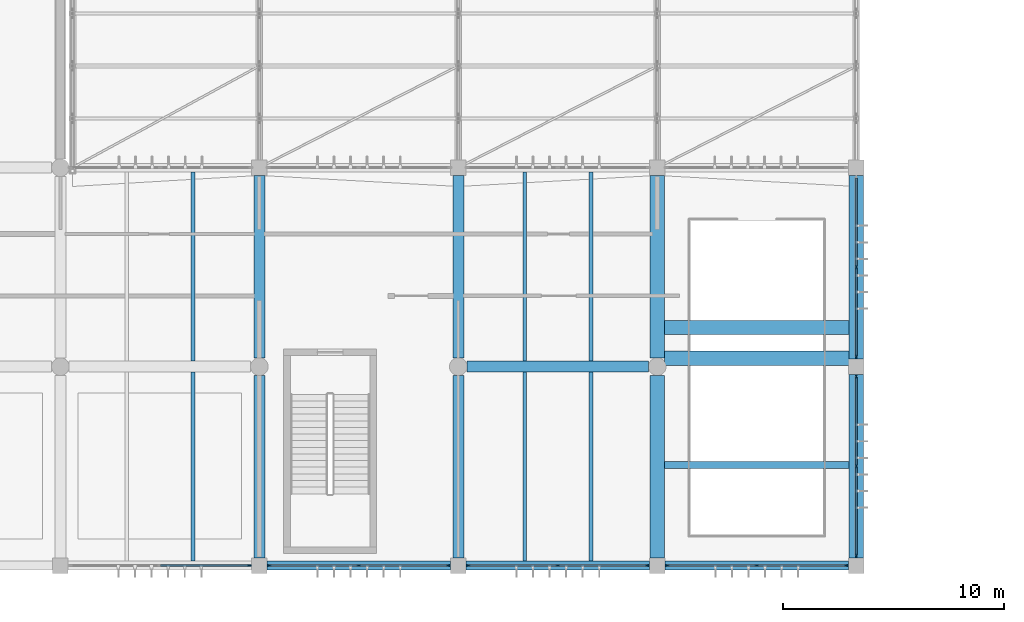
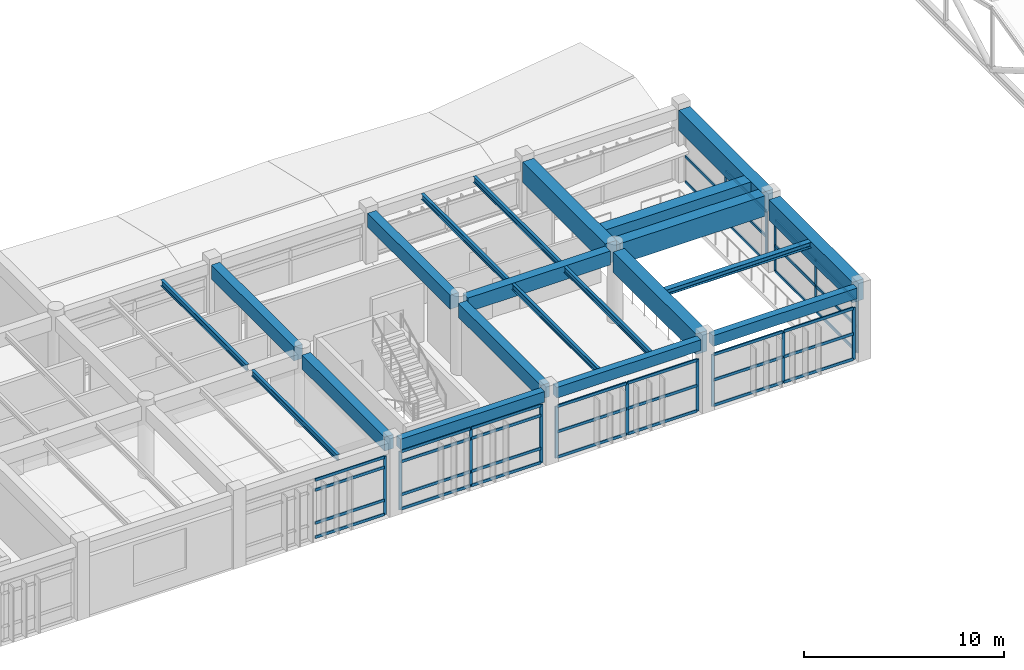
# One storey, part 17 of 90: 50 members, 21 beams, 6 elements without a shape of their own.
"""IFC4 building model written with IfcOpenShell, lengths in metres."""

import ifcopenshell
import ifcopenshell.guid

model = None  # the IFC model being written
_history = None  # IfcOwnerHistory: only IFC2X3 demands one
_inside = {}  # id of a spatial element -> (the spatial element, [elements in it])
_under = {}  # id of a project, library or spatial element -> (it, [spatial elements below it])
_declared = {}  # id of a project -> (the project, [libraries it declares])
_typed = {}  # id of a type object -> (the type object, [elements of that type])
_made_of = {}  # id of a material, layer set ... -> (it, [elements and type objects made of it])


def new_model(schema):
    """Start an empty IFC model of exactly this schema.

    Asked for "IFC4X3", IfcOpenShell would pick the latest addendum, in which some entities
    have other attributes; the version numbers below select the first issue.
    IFC2X3 requires an IfcOwnerHistory on every rooted entity: one is made here for all.
    """
    global model, _history
    if schema == "IFC4X3":
        model = ifcopenshell.file(schema_version=(4, 3, 0, 0))
    else:
        model = ifcopenshell.file(schema=schema)
    _inside.clear()
    _under.clear()
    _declared.clear()
    _typed.clear()
    _made_of.clear()
    _history = None
    if model.schema == "IFC2X3":
        org = make("IfcOrganization", Name="unknown")
        user = make(
            "IfcPersonAndOrganization",
            ThePerson=make("IfcPerson", FamilyName="unknown"),
            TheOrganization=org,
        )
        app = make(
            "IfcApplication",
            ApplicationDeveloper=org,
            Version="unknown",
            ApplicationFullName="unknown",
            ApplicationIdentifier="unknown",
        )
        _history = make(
            "IfcOwnerHistory",
            OwningUser=user,
            OwningApplication=app,
            ChangeAction="ADDED",
            CreationDate=0,
        )
    return model


def make(cls, **values):
    """One entity of the class cls with the attributes given. An attribute that is None is left unset."""
    return model.create_entity(
        cls, **{name: value for name, value in values.items() if value is not None}
    )


def rooted(cls, **values):
    """An entity with a GlobalId (a new one), such as an element, a storey or a relation."""
    return make(cls, GlobalId=ifcopenshell.guid.new(), OwnerHistory=_history, **values)


def si_unit(unit_type, name, prefix=None):
    """IfcSIUnit, for example si_unit("LENGTHUNIT", "METRE", prefix="MILLI")."""
    return make("IfcSIUnit", UnitType=unit_type, Prefix=prefix, Name=name)


def assignment(units):
    """IfcUnitAssignment: the units of a project."""
    return None if units is None else make("IfcUnitAssignment", Units=units)


def point(xyz):
    """IfcCartesianPoint."""
    return None if xyz is None else make("IfcCartesianPoint", Coordinates=xyz)


def direction(xyz):
    """IfcDirection."""
    return None if xyz is None else make("IfcDirection", DirectionRatios=xyz)


def frame(location, z_axis=None, x_axis=None):
    """IfcAxis2Placement3D, a coordinate frame: its origin and axes. An axis left out is left unset."""
    return make(
        "IfcAxis2Placement3D",
        Location=point(location),
        Axis=direction(z_axis),
        RefDirection=direction(x_axis),
    )


def frame_2d(location, x_axis=None):
    """IfcAxis2Placement2D, a coordinate frame in the plane: its origin and x axis."""
    return make(
        "IfcAxis2Placement2D", Location=point(location), RefDirection=direction(x_axis)
    )


def origin():
    """The frame at (0, 0, 0) with its axes left unset."""
    return frame((0.0, 0.0, 0.0))


def origin_2d():
    """The frame at (0, 0) in the plane with its x axis left unset."""
    return frame_2d((0.0, 0.0))


def place(relative_to, where):
    """IfcLocalPlacement: puts the frame where relative to a parent placement (None: the world)."""
    return make(
        "IfcLocalPlacement", PlacementRelTo=relative_to, RelativePlacement=where
    )


def context(
    kind, dimensions, precision=None, world=None, true_north=None, identifier=None
):
    """IfcGeometricRepresentationContext, for example the 3D "Model" context."""
    return make(
        "IfcGeometricRepresentationContext",
        ContextIdentifier=identifier,
        ContextType=kind,
        CoordinateSpaceDimension=dimensions,
        Precision=precision,
        WorldCoordinateSystem=world,
        TrueNorth=true_north,
    )


def subcontext(parent, identifier, kind, view, scale=None):
    """IfcGeometricRepresentationSubContext, for example "Body" below "Model"."""
    return make(
        "IfcGeometricRepresentationSubContext",
        ContextIdentifier=identifier,
        ContextType=kind,
        ParentContext=parent,
        TargetScale=scale,
        TargetView=view,
    )


def project(units=None, contexts=None):
    """IfcProject with its units and contexts."""
    return rooted(
        "IfcProject",
        Name="project",
        RepresentationContexts=contexts,
        UnitsInContext=assignment(units),
    )


def spatial(cls, under=None, at=None, **own):
    """A site, building, storey or space (cls), placed at a placement, below another one or the project."""
    s = rooted(cls, ObjectPlacement=at, **own)
    if under is not None:
        _under.setdefault(under.id(), (under, []))[1].append(s)
    return s


def profile(cls, at=None, kind="AREA", **sizes):
    """A parametric profile (cls). Its sizes go by their IFC names, for example OverallWidth=200.0."""
    return make(cls, ProfileType=kind, Position=at, **sizes)


def rectangle(**sizes):
    """IfcRectangleProfileDef."""
    return profile("IfcRectangleProfileDef", **sizes)


def i_section(**sizes):
    """IfcIShapeProfileDef."""
    return profile("IfcIShapeProfileDef", **sizes)


def extrude(swept, where, along, depth):
    """IfcExtrudedAreaSolid: the profile swept, set in the frame where, extruded along a direction by depth."""
    return make(
        "IfcExtrudedAreaSolid",
        SweptArea=swept,
        Position=where,
        ExtrudedDirection=direction(along),
        Depth=depth,
    )


def shape(context_of_items, identifier, shape_type, items):
    """IfcShapeRepresentation: the items that make up one representation, for example the "Body"."""
    return make(
        "IfcShapeRepresentation",
        ContextOfItems=context_of_items,
        RepresentationIdentifier=identifier,
        RepresentationType=shape_type,
        Items=items,
    )


def material(Name=None, Category=None):
    """IfcMaterial."""
    return make("IfcMaterial", Name=Name, Category=Category)


def material_profile(
    of_material, cross_section, Name=None, Category=None, Priority=None
):
    """IfcMaterialProfile: a cross section and its material."""
    return make(
        "IfcMaterialProfile",
        Name=Name,
        Material=of_material,
        Profile=cross_section,
        Priority=Priority,
        Category=Category,
    )


def profile_set(profiles, Name=None, composite=None):
    """IfcMaterialProfileSet."""
    return make(
        "IfcMaterialProfileSet",
        Name=Name,
        MaterialProfiles=profiles,
        CompositeProfile=composite,
    )


def made_of(thing, what):
    """Note that an element or type object is made of a material, layer set ...; save() writes the relation."""
    if what is not None:
        _made_of.setdefault(what.id(), (what, []))[1].append(thing)
    return thing


def type_object(cls, material=None, **own):
    """A type object (cls), such as IfcWallType, which elements share."""
    return made_of(rooted(cls, **own), material)


def element(
    cls,
    number,
    at=None,
    inside=None,
    cuts=None,
    type_object=None,
    material=None,
    context=None,
    identifier="Body",
    shape_type=None,
    held_by="IfcProductDefinitionShape",
    body=None,
    shapes=None,
    **own,
):
    """One element of the class cls, such as IfcWall. Its Tag is "e" and its number.

    at: its placement. inside: the storey or other place that contains it. cuts: it is an
    opening in that element (IfcRelVoidsElement). A single representation is given by context,
    identifier, shape_type and body (its items); several are given by shapes. held_by: the class
    of the entity that holds the representations. save() writes the other relations.
    """
    e = rooted(cls, Tag="e%d" % number, ObjectPlacement=at, **own)
    if body is not None:
        shapes = [shape(context, identifier, shape_type, body)]
    if shapes is not None:
        e.Representation = make(held_by, Representations=shapes)
    if inside is not None:
        _inside.setdefault(inside.id(), (inside, []))[1].append(e)
    if cuts is not None:
        rooted(
            "IfcRelVoidsElement", RelatingBuildingElement=cuts, RelatedOpeningElement=e
        )
    if type_object is not None:
        _typed.setdefault(type_object.id(), (type_object, []))[1].append(e)
    return made_of(e, material)


def aggregate(whole, parts):
    """IfcRelAggregates: a whole, such as a stair, and the parts it consists of."""
    return rooted("IfcRelAggregates", RelatingObject=whole, RelatedObjects=parts)


def save(model, path):
    """Write the relations noted so far, then the file.

    IfcRelAggregates (storeys below a building ...), IfcRelContainedInSpatialStructure (elements
    in a storey), IfcRelDefinesByType, IfcRelAssociatesMaterial and IfcRelDeclares: one each for
    every whole, place, type object, material and project.
    """
    for whole, parts in _under.values():
        aggregate(whole, parts)
    for where, things in _inside.values():
        rooted(
            "IfcRelContainedInSpatialStructure",
            RelatedElements=things,
            RelatingStructure=where,
        )
    for kind, things in _typed.values():
        rooted("IfcRelDefinesByType", RelatedObjects=things, RelatingType=kind)
    for what, things in _made_of.values():
        rooted("IfcRelAssociatesMaterial", RelatedObjects=things, RelatingMaterial=what)
    for by, libraries in _declared.values():
        rooted("IfcRelDeclares", RelatingContext=by, RelatedDefinitions=libraries)
    model.write(path)


model = new_model("IFC4")

# Units and contexts
model_context = context("Model", 3, precision=1e-05, world=origin(), true_north=direction((0.0, 1.0)))
body_context = subcontext(model_context, "Body", "Model", "MODEL_VIEW")
ifc_project = project(units=[si_unit("LENGTHUNIT", "METRE"), si_unit("AREAUNIT", "SQUARE_METRE"), si_unit("VOLUMEUNIT", "CUBIC_METRE"), si_unit("PLANEANGLEUNIT", "RADIAN"), si_unit("MASSUNIT", "GRAM", prefix="KILO")], contexts=[model_context])

# Site, building, storey
site_placement = place(None, origin())
site = spatial("IfcSite", under=ifc_project, at=site_placement, CompositionType="ELEMENT")
building_placement = place(site_placement, origin())
building = spatial("IfcBuilding", under=site, at=building_placement, Name="Bozkorgan Art Gallery", CompositionType="ELEMENT")
storey_placement = place(building_placement, frame((0.0, 0.0, 5.39990234375)))
storey = spatial("IfcBuildingStorey", under=building, at=storey_placement, Name="L01", CompositionType="ELEMENT", Elevation=5.39990234375)

# Beams
ifc_material_1 = material(Name="Concrete C35/45", Category="concrete")
ifc_material_profile_1 = material_profile(ifc_material_1, rectangle(XDim=0.5, YDim=0.85009765625, at=origin_2d()), Name="RC 500x850")
ifc_profile_set_1 = profile_set([ifc_material_profile_1], Name="Concrete C35/45")
beam_type_1 = type_object("IfcBeamType", Name="BEAM-BM-01", PredefinedType="BEAM", material=ifc_profile_set_1)
beam_1_placement = place(storey_placement, frame((47.39990234375, 11.0, 4.01513671875), z_axis=(1.0, 0.0, 0.0), x_axis=(0.0, 1.0, 0.0)))
element("IfcBeam", 1, at=beam_1_placement, inside=storey, type_object=beam_type_1, Name="V1 L01 beam X (47-56, 11.0)", PredefinedType="BEAM", context=body_context, shape_type="SweptSolid", body=[
    extrude(rectangle(XDim=0.5, YDim=0.85009765625, at=origin_2d()), origin(), (0.0, 0.0, 1.0), 8.2001953125),
])
for number, where, z_axis, x_axis, name in (
    (2, (38.0, 2.35009765625, 4.01513671875), (0.0, 1.0, 0.0), (-1.0, 0.0, 0.0), "V1 L01 beam Y (38, 2.0-11.0)"),
    (3, (38.0, 11.39990234375, 4.01513671875), (0.0, 1.0, 0.0), (-1.0, 0.0, 0.0), "V1 L01 beam Y (38, 11.0-20.0)"),
    (4, (47.0, 2.35009765625, 4.01513671875), (0.0, 1.0, 0.0), (-1.0, 0.0, 0.0), "V1 L01 beam Y (47, 2.0-11.0)"),
    (5, (47.0, 11.39990234375, 4.01513671875), (0.0, 1.0, 0.0), (-1.0, 0.0, 0.0), "V1 L01 beam Y (47, 11.0-20.0)"),
):
    element("IfcBeam", number, at=place(storey_placement, frame(where, z_axis=z_axis, x_axis=x_axis)), inside=storey, type_object=beam_type_1, Name=name, PredefinedType="BEAM", context=body_context, shape_type="SweptSolid", body=[
        extrude(rectangle(XDim=0.5, YDim=0.85009765625, at=origin_2d()), origin(), (0.0, 0.0, 1.0), 8.25),
    ])
ifc_material_2 = material(Name="Steel S355J2", Category="steel")
ifc_material_profile_2 = material_profile(ifc_material_2, i_section(OverallWidth=0.169921875, OverallDepth=0.360107421875, WebThickness=0.008056640625, FlangeThickness=0.0126953125, FilletRadius=0.01806640625, at=origin_2d()), Name="IPE 360")
ifc_profile_set_2 = profile_set([ifc_material_profile_2], Name="Steel S355J2")
beam_type_2 = type_object("IfcBeamType", Name="BEAM-JS-98", PredefinedType="JOIST", material=ifc_profile_set_2)
for number, where, z_axis, x_axis, name in (
    (6, (35.0, 2.199951171875, 4.260009765625), (0.0, 1.0, 0.0), (-1.0, 0.0, 0.0), "V1 L01 secondary joist (29-38, 2.0-11.0) #2"),
    (7, (35.0, 11.25, 4.260009765625), (0.0, 1.0, 0.0), (-1.0, 0.0, 0.0), "V1 L01 secondary joist (29-38, 11.0-20.0) #2"),
    (8, (50.0, 2.199951171875, 4.260009765625), (0.0, 1.0, 0.0), (-1.0, 0.0, 0.0), "V1 L01 secondary joist (47-56, 2.0-11.0) #1"),
    (9, (53.0, 2.199951171875, 4.260009765625), (0.0, 1.0, 0.0), (-1.0, 0.0, 0.0), "V1 L01 secondary joist (47-56, 2.0-11.0) #2"),
    (10, (50.0, 11.25, 4.260009765625), (0.0, 1.0, 0.0), (-1.0, 0.0, 0.0), "V1 L01 secondary joist (47-56, 11.0-20.0) #1"),
    (11, (53.0, 11.25, 4.260009765625), (0.0, 1.0, 0.0), (-1.0, 0.0, 0.0), "V1 L01 secondary joist (47-56, 11.0-20.0) #2"),
):
    element("IfcBeam", number, at=place(storey_placement, frame(where, z_axis=z_axis, x_axis=x_axis)), inside=storey, type_object=beam_type_2, Name=name, PredefinedType="JOIST", context=body_context, shape_type="SweptSolid", body=[
        extrude(i_section(OverallWidth=0.169921875, OverallDepth=0.360107421875, WebThickness=0.008056640625, FlangeThickness=0.0126953125, FilletRadius=0.01806640625, at=origin_2d()), origin(), (0.0, 0.0, 1.0), 8.550048828125),
    ])
ifc_material_profile_3 = material_profile(ifc_material_1, rectangle(XDim=0.39990234375, YDim=0.64990234375, at=origin_2d()), Name="RC 400x650")
ifc_profile_set_3 = profile_set([ifc_material_profile_3], Name="Concrete C35/45")
beam_type_3 = type_object("IfcBeamType", Name="BEAM-SP-69", PredefinedType="SPANDREL", material=ifc_profile_set_3)
for number, where, z_axis, x_axis, name in (
    (12, (38.35009765625, 2.0, 4.114990234375), (1.0, 0.0, 0.0), (0.0, 1.0, 0.0), "V1 L01 spandrel X (38-47, 2.0)"),
    (13, (47.35009765625, 2.0, 4.114990234375), (1.0, 0.0, 0.0), (0.0, 1.0, 0.0), "V1 L01 spandrel X (47-56, 2.0)"),
    (14, (56.35009765625, 2.0, 4.114990234375), (1.0, 0.0, 0.0), (0.0, 1.0, 0.0), "V1 L01 spandrel X (56-65, 2.0)"),
):
    element("IfcBeam", number, at=place(storey_placement, frame(where, z_axis=z_axis, x_axis=x_axis)), inside=storey, type_object=beam_type_3, Name=name, PredefinedType="SPANDREL", context=body_context, shape_type="SweptSolid", body=[
        extrude(rectangle(XDim=0.39990234375, YDim=0.64990234375, at=origin_2d()), origin(), (0.0, 0.0, 1.0), 8.2998046875),
    ])
ifc_material_3 = material(Name="Concrete C40/50", Category="concrete")
ifc_material_profile_4 = material_profile(ifc_material_3, rectangle(XDim=0.64990234375, YDim=1.25, at=origin_2d()), Name="RC 650x1250")
ifc_profile_set_4 = profile_set([ifc_material_profile_4], Name="Concrete C40/50")
beam_type_4 = type_object("IfcBeamType", Name="BEAM-TG-46", PredefinedType="SPANDREL", material=ifc_profile_set_4)
for number, where, z_axis, x_axis, name in (
    (15, (65.0, 2.35009765625, 3.815185546875), (0.0, 1.0, 0.0), (-1.0, 0.0, 0.0), "V1 L01 spandrel Y (65, 2.0-11.0)"),
    (16, (65.0, 11.35009765625, 3.815185546875), (0.0, 1.0, 0.0), (-1.0, 0.0, 0.0), "V1 L01 spandrel Y (65, 11.0-20.0)"),
):
    element("IfcBeam", number, at=place(storey_placement, frame(where, z_axis=z_axis, x_axis=x_axis)), inside=storey, type_object=beam_type_4, Name=name, PredefinedType="SPANDREL", context=body_context, shape_type="SweptSolid", body=[
        extrude(rectangle(XDim=0.64990234375, YDim=1.25, at=origin_2d()), origin(), (0.0, 0.0, 1.0), 8.2998046875),
    ])
ifc_material_profile_5 = material_profile(ifc_material_3, rectangle(XDim=0.64990234375, YDim=1.25, at=origin_2d()), Name="RC 650x1250")
ifc_profile_set_5 = profile_set([ifc_material_profile_5], Name="Concrete C40/50")
beam_type_5 = type_object("IfcBeamType", Name="BEAM-TG-51", PredefinedType="BEAM", material=ifc_profile_set_5)
for number, where, z_axis, x_axis, name in (
    (17, (56.0, 2.35009765625, 3.815185546875), (0.0, 1.0, 0.0), (-1.0, 0.0, 0.0), "V1 L01 beam Y (56, 2.0-11.0)"),
    (18, (56.0, 11.39990234375, 3.815185546875), (0.0, 1.0, 0.0), (-1.0, 0.0, 0.0), "V1 L01 beam Y (56, 11.0-20.0)"),
):
    element("IfcBeam", number, at=place(storey_placement, frame(where, z_axis=z_axis, x_axis=x_axis)), inside=storey, type_object=beam_type_5, Name=name, PredefinedType="BEAM", context=body_context, shape_type="SweptSolid", body=[
        extrude(rectangle(XDim=0.64990234375, YDim=1.25, at=origin_2d()), origin(), (0.0, 0.0, 1.0), 8.25),
    ])
ifc_material_profile_6 = material_profile(ifc_material_2, i_section(OverallWidth=0.300048828125, OverallDepth=0.35009765625, WebThickness=0.010009765625, FlangeThickness=0.017578125, FilletRadius=0.027099609375, at=origin_2d()), Name="HEA 360")
ifc_profile_set_6 = profile_set([ifc_material_profile_6], Name="Steel S355J2")
beam_type_6 = type_object("IfcBeamType", Name="BM-ATR-TRIM", PredefinedType="BEAM", material=ifc_profile_set_6)
beam_2_placement = place(storey_placement, frame((56.324951171875, 6.550048828125, 4.26513671875), z_axis=(1.0, 0.0, 0.0), x_axis=(0.0, 1.0, 0.0)))
element("IfcBeam", 19, at=beam_2_placement, inside=storey, type_object=beam_type_6, Name="ST8 lower flight trimmer beam", PredefinedType="BEAM", context=body_context, shape_type="SweptSolid", body=[
    extrude(i_section(OverallWidth=0.300048828125, OverallDepth=0.35009765625, WebThickness=0.010009765625, FlangeThickness=0.017578125, FilletRadius=0.027099609375, at=origin_2d()), origin(), (0.0, 0.0, 1.0), 8.35009765625),
])
ifc_material_profile_7 = material_profile(ifc_material_3, rectangle(XDim=0.64990234375, YDim=1.25, at=origin_2d()), Name="RC 650x1250")
ifc_profile_set_7 = profile_set([ifc_material_profile_7], Name="Concrete C40/50")
beam_type_7 = type_object("IfcBeamType", Name="BM-FST-XFER", PredefinedType="BEAM", material=ifc_profile_set_7)
for number, where, z_axis, x_axis, name in (
    (20, (56.324951171875, 11.3798828125, 3.815185546875), (1.0, 0.0, 0.0), (0.0, 1.0, 0.0), "ST8 south landing transfer girder"),
    (21, (56.324951171875, 12.77001953125, 3.815185546875), (1.0, 0.0, 0.0), (0.0, 1.0, 0.0), "ST8 north landing transfer girder"),
):
    element("IfcBeam", number, at=place(storey_placement, frame(where, z_axis=z_axis, x_axis=x_axis)), inside=storey, type_object=beam_type_7, Name=name, PredefinedType="BEAM", context=body_context, shape_type="SweptSolid", body=[
        extrude(rectangle(XDim=0.64990234375, YDim=1.25, at=origin_2d()), origin(), (0.0, 0.0, 1.0), 8.35009765625),
    ])

# Curtain wall, member
ifc_material_4 = material(Name="Anodised Bronze Aluminium", Category="aluminium")
curtain_wall_type_1 = type_object("IfcCurtainWallType", Name="CW-CW-94", PredefinedType="NOTDEFINED", material=ifc_material_4)
curtain_wall_1_placement = place(storey_placement, origin())
curtain_wall_1 = element("IfcCurtainWall", 22, at=curtain_wall_1_placement, inside=storey, type_object=curtain_wall_type_1, Name="L01 unitised curtain wall CW-V1-L01-1S-04", PredefinedType="NOTDEFINED")
ifc_material_profile_8 = material_profile(ifc_material_4, rectangle(XDim=0.06494140625, YDim=0.179931640625, at=origin_2d()), Name="ALU MULLION 65x180")
ifc_profile_set_8 = profile_set([ifc_material_profile_8], Name="Anodised Bronze Aluminium")
member_type_1 = type_object("IfcMemberType", Name="CWM-01", PredefinedType="MULLION", material=ifc_profile_set_8)
member_1_placement = place(storey_placement, frame((37.552490234375, 2.0, 0.02001953125), z_axis=(0.0, 0.0, 1.0), x_axis=(0.0, 1.0, 0.0)))
member_1 = element("IfcMember", 23, at=member_1_placement, type_object=member_type_1, Name="CW-94 mullion 3", PredefinedType="MULLION", context=body_context, shape_type="SweptSolid", body=[
    extrude(rectangle(XDim=0.06494140625, YDim=0.179931640625, at=origin_2d()), origin(), (0.0, 0.0, 1.0), 3.55517578125),
])

# Curtain wall, members
curtain_wall_2_placement = place(storey_placement, origin())
curtain_wall_2 = element("IfcCurtainWall", 24, at=curtain_wall_2_placement, inside=storey, type_object=curtain_wall_type_1, Name="L01 unitised curtain wall CW-V1-L01-1S-06", PredefinedType="NOTDEFINED")
member_2_placement = place(storey_placement, frame((38.447509765625, 2.0, 0.02001953125), z_axis=(0.0, 0.0, 1.0), x_axis=(0.0, 1.0, 0.0)))
member_2 = element("IfcMember", 25, at=member_2_placement, type_object=member_type_1, Name="CW-94 mullion 1", PredefinedType="MULLION", context=body_context, shape_type="SweptSolid", body=[
    extrude(rectangle(XDim=0.06494140625, YDim=0.179931640625, at=origin_2d()), origin(), (0.0, 0.0, 1.0), 3.55517578125),
])
member_3_placement = place(storey_placement, frame((42.5, 2.0, 0.02001953125), z_axis=(0.0, 0.0, 1.0), x_axis=(0.0, 1.0, 0.0)))
member_3 = element("IfcMember", 26, at=member_3_placement, type_object=member_type_1, Name="CW-94 mullion 2", PredefinedType="MULLION", context=body_context, shape_type="SweptSolid", body=[
    extrude(rectangle(XDim=0.06494140625, YDim=0.179931640625, at=origin_2d()), origin(), (0.0, 0.0, 1.0), 3.55517578125),
])
member_4_placement = place(storey_placement, frame((46.552490234375, 2.0, 0.02001953125), z_axis=(0.0, 0.0, 1.0), x_axis=(0.0, 1.0, 0.0)))
member_4 = element("IfcMember", 27, at=member_4_placement, type_object=member_type_1, Name="CW-94 mullion 3", PredefinedType="MULLION", context=body_context, shape_type="SweptSolid", body=[
    extrude(rectangle(XDim=0.06494140625, YDim=0.179931640625, at=origin_2d()), origin(), (0.0, 0.0, 1.0), 3.55517578125),
])

curtain_wall_type_2 = type_object("IfcCurtainWallType", Name="CW-CW-73", PredefinedType="NOTDEFINED", material=ifc_material_4)
curtain_wall_3_placement = place(storey_placement, origin())
curtain_wall_3 = element("IfcCurtainWall", 28, at=curtain_wall_3_placement, inside=storey, type_object=curtain_wall_type_2, Name="L01 unitised curtain wall CW-V1-L01-1S-08", PredefinedType="NOTDEFINED")
member_5_placement = place(storey_placement, frame((47.447509765625, 2.0, 0.02001953125), z_axis=(0.0, 0.0, 1.0), x_axis=(0.0, 1.0, 0.0)))
member_5 = element("IfcMember", 29, at=member_5_placement, type_object=member_type_1, Name="CW-73 mullion 1", PredefinedType="MULLION", context=body_context, shape_type="SweptSolid", body=[
    extrude(rectangle(XDim=0.06494140625, YDim=0.179931640625, at=origin_2d()), origin(), (0.0, 0.0, 1.0), 3.155029296875),
])
member_6_placement = place(storey_placement, frame((51.5, 2.0, 0.02001953125), z_axis=(0.0, 0.0, 1.0), x_axis=(0.0, 1.0, 0.0)))
member_6 = element("IfcMember", 30, at=member_6_placement, type_object=member_type_1, Name="CW-73 mullion 2", PredefinedType="MULLION", context=body_context, shape_type="SweptSolid", body=[
    extrude(rectangle(XDim=0.06494140625, YDim=0.179931640625, at=origin_2d()), origin(), (0.0, 0.0, 1.0), 3.155029296875),
])
member_7_placement = place(storey_placement, frame((55.552490234375, 2.0, 0.02001953125), z_axis=(0.0, 0.0, 1.0), x_axis=(0.0, 1.0, 0.0)))
member_7 = element("IfcMember", 31, at=member_7_placement, type_object=member_type_1, Name="CW-73 mullion 3", PredefinedType="MULLION", context=body_context, shape_type="SweptSolid", body=[
    extrude(rectangle(XDim=0.06494140625, YDim=0.179931640625, at=origin_2d()), origin(), (0.0, 0.0, 1.0), 3.155029296875),
])

curtain_wall_4_placement = place(storey_placement, origin())
curtain_wall_4 = element("IfcCurtainWall", 32, at=curtain_wall_4_placement, inside=storey, type_object=curtain_wall_type_2, Name="L01 unitised curtain wall CW-V1-L01-1S-10", PredefinedType="NOTDEFINED")
member_8_placement = place(storey_placement, frame((56.447509765625, 2.0, 0.02001953125), z_axis=(0.0, 0.0, 1.0), x_axis=(0.0, 1.0, 0.0)))
member_8 = element("IfcMember", 33, at=member_8_placement, type_object=member_type_1, Name="CW-73 mullion 1", PredefinedType="MULLION", context=body_context, shape_type="SweptSolid", body=[
    extrude(rectangle(XDim=0.06494140625, YDim=0.179931640625, at=origin_2d()), origin(), (0.0, 0.0, 1.0), 3.155029296875),
])
member_9_placement = place(storey_placement, frame((60.5, 2.0, 0.02001953125), z_axis=(0.0, 0.0, 1.0), x_axis=(0.0, 1.0, 0.0)))
member_9 = element("IfcMember", 34, at=member_9_placement, type_object=member_type_1, Name="CW-73 mullion 2", PredefinedType="MULLION", context=body_context, shape_type="SweptSolid", body=[
    extrude(rectangle(XDim=0.06494140625, YDim=0.179931640625, at=origin_2d()), origin(), (0.0, 0.0, 1.0), 3.155029296875),
])
member_10_placement = place(storey_placement, frame((64.552490234375, 2.0, 0.02001953125), z_axis=(0.0, 0.0, 1.0), x_axis=(0.0, 1.0, 0.0)))
member_10 = element("IfcMember", 35, at=member_10_placement, type_object=member_type_1, Name="CW-73 mullion 3", PredefinedType="MULLION", context=body_context, shape_type="SweptSolid", body=[
    extrude(rectangle(XDim=0.06494140625, YDim=0.179931640625, at=origin_2d()), origin(), (0.0, 0.0, 1.0), 3.155029296875),
])

curtain_wall_5_placement = place(storey_placement, origin())
curtain_wall_5 = element("IfcCurtainWall", 36, at=curtain_wall_5_placement, inside=storey, type_object=curtain_wall_type_2, Name="L01 unitised curtain wall CW-V1-L01-1E-13", PredefinedType="NOTDEFINED")
member_11_placement = place(storey_placement, frame((65.0, 2.447509765625, 0.02001953125), z_axis=(0.0, 0.0, 1.0), x_axis=(-1.0, 0.0, 0.0)))
member_11 = element("IfcMember", 37, at=member_11_placement, type_object=member_type_1, Name="CW-73 mullion 1", PredefinedType="MULLION", context=body_context, shape_type="SweptSolid", body=[
    extrude(rectangle(XDim=0.06494140625, YDim=0.179931640625, at=origin_2d()), origin(), (0.0, 0.0, 1.0), 3.155029296875),
])
member_12_placement = place(storey_placement, frame((65.0, 6.5, 0.02001953125), z_axis=(0.0, 0.0, 1.0), x_axis=(-1.0, 0.0, 0.0)))
member_12 = element("IfcMember", 38, at=member_12_placement, type_object=member_type_1, Name="CW-73 mullion 2", PredefinedType="MULLION", context=body_context, shape_type="SweptSolid", body=[
    extrude(rectangle(XDim=0.06494140625, YDim=0.179931640625, at=origin_2d()), origin(), (0.0, 0.0, 1.0), 3.155029296875),
])
member_13_placement = place(storey_placement, frame((65.0, 10.552490234375, 0.02001953125), z_axis=(0.0, 0.0, 1.0), x_axis=(-1.0, 0.0, 0.0)))
member_13 = element("IfcMember", 39, at=member_13_placement, type_object=member_type_1, Name="CW-73 mullion 3", PredefinedType="MULLION", context=body_context, shape_type="SweptSolid", body=[
    extrude(rectangle(XDim=0.06494140625, YDim=0.179931640625, at=origin_2d()), origin(), (0.0, 0.0, 1.0), 3.155029296875),
])

curtain_wall_6_placement = place(storey_placement, origin())
curtain_wall_6 = element("IfcCurtainWall", 40, at=curtain_wall_6_placement, inside=storey, type_object=curtain_wall_type_2, Name="L01 unitised curtain wall CW-V1-L01-1E-15", PredefinedType="NOTDEFINED")
member_14_placement = place(storey_placement, frame((65.0, 11.447509765625, 0.02001953125), z_axis=(0.0, 0.0, 1.0), x_axis=(-1.0, 0.0, 0.0)))
member_14 = element("IfcMember", 41, at=member_14_placement, type_object=member_type_1, Name="CW-73 mullion 1", PredefinedType="MULLION", context=body_context, shape_type="SweptSolid", body=[
    extrude(rectangle(XDim=0.06494140625, YDim=0.179931640625, at=origin_2d()), origin(), (0.0, 0.0, 1.0), 3.155029296875),
])
member_15_placement = place(storey_placement, frame((65.0, 15.5, 0.02001953125), z_axis=(0.0, 0.0, 1.0), x_axis=(-1.0, 0.0, 0.0)))
member_15 = element("IfcMember", 42, at=member_15_placement, type_object=member_type_1, Name="CW-73 mullion 2", PredefinedType="MULLION", context=body_context, shape_type="SweptSolid", body=[
    extrude(rectangle(XDim=0.06494140625, YDim=0.179931640625, at=origin_2d()), origin(), (0.0, 0.0, 1.0), 3.155029296875),
])

# Member
ifc_material_profile_9 = material_profile(ifc_material_4, rectangle(XDim=0.074951171875, YDim=0.169921875, at=origin_2d()), Name="ALU TRANSOM 75x170")
ifc_profile_set_9 = profile_set([ifc_material_profile_9], Name="Anodised Bronze Aluminium")
member_type_2 = type_object("IfcMemberType", Name="CWT-02", PredefinedType="USERDEFINED", material=ifc_profile_set_9)
member_16_placement = place(storey_placement, frame((33.532470703125, 2.0, 0.0576171875), z_axis=(1.0, 0.0, 0.0), x_axis=(0.0, 1.0, 0.0)))
member_16 = element("IfcMember", 43, at=member_16_placement, type_object=member_type_2, Name="CW-94 transom 2.1", ObjectType="TRANSOM", PredefinedType="USERDEFINED", context=body_context, shape_type="SweptSolid", body=[
    extrude(rectangle(XDim=0.074951171875, YDim=0.169921875, at=origin_2d()), origin(), (0.0, 0.0, 1.0), 3.987548828125),
])

member_17_placement = place(storey_placement, frame((33.532470703125, 2.0, 0.920166015625), z_axis=(1.0, 0.0, 0.0), x_axis=(0.0, 1.0, 0.0)))
member_17 = element("IfcMember", 44, at=member_17_placement, type_object=member_type_2, Name="CW-94 transom 2.2", ObjectType="TRANSOM", PredefinedType="USERDEFINED", context=body_context, shape_type="SweptSolid", body=[
    extrude(rectangle(XDim=0.074951171875, YDim=0.169921875, at=origin_2d()), origin(), (0.0, 0.0, 1.0), 3.987548828125),
])

member_18_placement = place(storey_placement, frame((33.532470703125, 2.0, 2.925048828125), z_axis=(1.0, 0.0, 0.0), x_axis=(0.0, 1.0, 0.0)))
member_18 = element("IfcMember", 45, at=member_18_placement, type_object=member_type_2, Name="CW-94 transom 2.3", ObjectType="TRANSOM", PredefinedType="USERDEFINED", context=body_context, shape_type="SweptSolid", body=[
    extrude(rectangle(XDim=0.074951171875, YDim=0.169921875, at=origin_2d()), origin(), (0.0, 0.0, 1.0), 3.987548828125),
])

member_19_placement = place(storey_placement, frame((33.532470703125, 2.0, 3.53759765625), z_axis=(1.0, 0.0, 0.0), x_axis=(0.0, 1.0, 0.0)))
member_19 = element("IfcMember", 46, at=member_19_placement, type_object=member_type_2, Name="CW-94 transom 2.4", ObjectType="TRANSOM", PredefinedType="USERDEFINED", context=body_context, shape_type="SweptSolid", body=[
    extrude(rectangle(XDim=0.074951171875, YDim=0.169921875, at=origin_2d()), origin(), (0.0, 0.0, 1.0), 3.987548828125),
])

aggregate(curtain_wall_1, [member_1, member_16, member_17, member_18, member_19])

member_20_placement = place(storey_placement, frame((38.47998046875, 2.0, 0.0576171875), z_axis=(1.0, 0.0, 0.0), x_axis=(0.0, 1.0, 0.0)))
member_20 = element("IfcMember", 47, at=member_20_placement, type_object=member_type_2, Name="CW-94 transom 1.1", ObjectType="TRANSOM", PredefinedType="USERDEFINED", context=body_context, shape_type="SweptSolid", body=[
    extrude(rectangle(XDim=0.074951171875, YDim=0.169921875, at=origin_2d()), origin(), (0.0, 0.0, 1.0), 3.987548828125),
])

member_21_placement = place(storey_placement, frame((38.47998046875, 2.0, 0.920166015625), z_axis=(1.0, 0.0, 0.0), x_axis=(0.0, 1.0, 0.0)))
member_21 = element("IfcMember", 48, at=member_21_placement, type_object=member_type_2, Name="CW-94 transom 1.2", ObjectType="TRANSOM", PredefinedType="USERDEFINED", context=body_context, shape_type="SweptSolid", body=[
    extrude(rectangle(XDim=0.074951171875, YDim=0.169921875, at=origin_2d()), origin(), (0.0, 0.0, 1.0), 3.987548828125),
])

member_22_placement = place(storey_placement, frame((38.47998046875, 2.0, 2.925048828125), z_axis=(1.0, 0.0, 0.0), x_axis=(0.0, 1.0, 0.0)))
member_22 = element("IfcMember", 49, at=member_22_placement, type_object=member_type_2, Name="CW-94 transom 1.3", ObjectType="TRANSOM", PredefinedType="USERDEFINED", context=body_context, shape_type="SweptSolid", body=[
    extrude(rectangle(XDim=0.074951171875, YDim=0.169921875, at=origin_2d()), origin(), (0.0, 0.0, 1.0), 3.987548828125),
])

member_23_placement = place(storey_placement, frame((38.47998046875, 2.0, 3.53759765625), z_axis=(1.0, 0.0, 0.0), x_axis=(0.0, 1.0, 0.0)))
member_23 = element("IfcMember", 50, at=member_23_placement, type_object=member_type_2, Name="CW-94 transom 1.4", ObjectType="TRANSOM", PredefinedType="USERDEFINED", context=body_context, shape_type="SweptSolid", body=[
    extrude(rectangle(XDim=0.074951171875, YDim=0.169921875, at=origin_2d()), origin(), (0.0, 0.0, 1.0), 3.987548828125),
])

member_24_placement = place(storey_placement, frame((42.532470703125, 2.0, 0.0576171875), z_axis=(1.0, 0.0, 0.0), x_axis=(0.0, 1.0, 0.0)))
member_24 = element("IfcMember", 51, at=member_24_placement, type_object=member_type_2, Name="CW-94 transom 2.1", ObjectType="TRANSOM", PredefinedType="USERDEFINED", context=body_context, shape_type="SweptSolid", body=[
    extrude(rectangle(XDim=0.074951171875, YDim=0.169921875, at=origin_2d()), origin(), (0.0, 0.0, 1.0), 3.987548828125),
])

member_25_placement = place(storey_placement, frame((42.532470703125, 2.0, 0.920166015625), z_axis=(1.0, 0.0, 0.0), x_axis=(0.0, 1.0, 0.0)))
member_25 = element("IfcMember", 52, at=member_25_placement, type_object=member_type_2, Name="CW-94 transom 2.2", ObjectType="TRANSOM", PredefinedType="USERDEFINED", context=body_context, shape_type="SweptSolid", body=[
    extrude(rectangle(XDim=0.074951171875, YDim=0.169921875, at=origin_2d()), origin(), (0.0, 0.0, 1.0), 3.987548828125),
])

member_26_placement = place(storey_placement, frame((42.532470703125, 2.0, 2.925048828125), z_axis=(1.0, 0.0, 0.0), x_axis=(0.0, 1.0, 0.0)))
member_26 = element("IfcMember", 53, at=member_26_placement, type_object=member_type_2, Name="CW-94 transom 2.3", ObjectType="TRANSOM", PredefinedType="USERDEFINED", context=body_context, shape_type="SweptSolid", body=[
    extrude(rectangle(XDim=0.074951171875, YDim=0.169921875, at=origin_2d()), origin(), (0.0, 0.0, 1.0), 3.987548828125),
])

member_27_placement = place(storey_placement, frame((42.532470703125, 2.0, 3.53759765625), z_axis=(1.0, 0.0, 0.0), x_axis=(0.0, 1.0, 0.0)))
member_27 = element("IfcMember", 54, at=member_27_placement, type_object=member_type_2, Name="CW-94 transom 2.4", ObjectType="TRANSOM", PredefinedType="USERDEFINED", context=body_context, shape_type="SweptSolid", body=[
    extrude(rectangle(XDim=0.074951171875, YDim=0.169921875, at=origin_2d()), origin(), (0.0, 0.0, 1.0), 3.987548828125),
])

aggregate(curtain_wall_2, [member_2, member_3, member_4, member_20, member_21, member_22, member_23, member_24, member_25, member_26, member_27])

member_28_placement = place(storey_placement, frame((47.47998046875, 2.0, 0.0576171875), z_axis=(1.0, 0.0, 0.0), x_axis=(0.0, 1.0, 0.0)))
member_28 = element("IfcMember", 55, at=member_28_placement, type_object=member_type_2, Name="CW-73 transom 1.1", ObjectType="TRANSOM", PredefinedType="USERDEFINED", context=body_context, shape_type="SweptSolid", body=[
    extrude(rectangle(XDim=0.074951171875, YDim=0.169921875, at=origin_2d()), origin(), (0.0, 0.0, 1.0), 3.987548828125),
])

member_29_placement = place(storey_placement, frame((47.47998046875, 2.0, 1.59716796875), z_axis=(1.0, 0.0, 0.0), x_axis=(0.0, 1.0, 0.0)))
member_29 = element("IfcMember", 56, at=member_29_placement, type_object=member_type_2, Name="CW-73 transom 1.2", ObjectType="TRANSOM", PredefinedType="USERDEFINED", context=body_context, shape_type="SweptSolid", body=[
    extrude(rectangle(XDim=0.074951171875, YDim=0.169921875, at=origin_2d()), origin(), (0.0, 0.0, 1.0), 3.987548828125),
])

member_30_placement = place(storey_placement, frame((47.47998046875, 2.0, 3.1376953125), z_axis=(1.0, 0.0, 0.0), x_axis=(0.0, 1.0, 0.0)))
member_30 = element("IfcMember", 57, at=member_30_placement, type_object=member_type_2, Name="CW-73 transom 1.3", ObjectType="TRANSOM", PredefinedType="USERDEFINED", context=body_context, shape_type="SweptSolid", body=[
    extrude(rectangle(XDim=0.074951171875, YDim=0.169921875, at=origin_2d()), origin(), (0.0, 0.0, 1.0), 3.987548828125),
])

member_31_placement = place(storey_placement, frame((51.532470703125, 2.0, 0.0576171875), z_axis=(1.0, 0.0, 0.0), x_axis=(0.0, 1.0, 0.0)))
member_31 = element("IfcMember", 58, at=member_31_placement, type_object=member_type_2, Name="CW-73 transom 2.1", ObjectType="TRANSOM", PredefinedType="USERDEFINED", context=body_context, shape_type="SweptSolid", body=[
    extrude(rectangle(XDim=0.074951171875, YDim=0.169921875, at=origin_2d()), origin(), (0.0, 0.0, 1.0), 3.987548828125),
])

member_32_placement = place(storey_placement, frame((51.532470703125, 2.0, 1.59716796875), z_axis=(1.0, 0.0, 0.0), x_axis=(0.0, 1.0, 0.0)))
member_32 = element("IfcMember", 59, at=member_32_placement, type_object=member_type_2, Name="CW-73 transom 2.2", ObjectType="TRANSOM", PredefinedType="USERDEFINED", context=body_context, shape_type="SweptSolid", body=[
    extrude(rectangle(XDim=0.074951171875, YDim=0.169921875, at=origin_2d()), origin(), (0.0, 0.0, 1.0), 3.987548828125),
])

member_33_placement = place(storey_placement, frame((51.532470703125, 2.0, 3.1376953125), z_axis=(1.0, 0.0, 0.0), x_axis=(0.0, 1.0, 0.0)))
member_33 = element("IfcMember", 60, at=member_33_placement, type_object=member_type_2, Name="CW-73 transom 2.3", ObjectType="TRANSOM", PredefinedType="USERDEFINED", context=body_context, shape_type="SweptSolid", body=[
    extrude(rectangle(XDim=0.074951171875, YDim=0.169921875, at=origin_2d()), origin(), (0.0, 0.0, 1.0), 3.987548828125),
])

aggregate(curtain_wall_3, [member_5, member_6, member_7, member_28, member_29, member_30, member_31, member_32, member_33])

member_34_placement = place(storey_placement, frame((56.47998046875, 2.0, 0.0576171875), z_axis=(1.0, 0.0, 0.0), x_axis=(0.0, 1.0, 0.0)))
member_34 = element("IfcMember", 61, at=member_34_placement, type_object=member_type_2, Name="CW-73 transom 1.1", ObjectType="TRANSOM", PredefinedType="USERDEFINED", context=body_context, shape_type="SweptSolid", body=[
    extrude(rectangle(XDim=0.074951171875, YDim=0.169921875, at=origin_2d()), origin(), (0.0, 0.0, 1.0), 3.987548828125),
])

member_35_placement = place(storey_placement, frame((56.47998046875, 2.0, 1.59716796875), z_axis=(1.0, 0.0, 0.0), x_axis=(0.0, 1.0, 0.0)))
member_35 = element("IfcMember", 62, at=member_35_placement, type_object=member_type_2, Name="CW-73 transom 1.2", ObjectType="TRANSOM", PredefinedType="USERDEFINED", context=body_context, shape_type="SweptSolid", body=[
    extrude(rectangle(XDim=0.074951171875, YDim=0.169921875, at=origin_2d()), origin(), (0.0, 0.0, 1.0), 3.987548828125),
])

member_36_placement = place(storey_placement, frame((56.47998046875, 2.0, 3.1376953125), z_axis=(1.0, 0.0, 0.0), x_axis=(0.0, 1.0, 0.0)))
member_36 = element("IfcMember", 63, at=member_36_placement, type_object=member_type_2, Name="CW-73 transom 1.3", ObjectType="TRANSOM", PredefinedType="USERDEFINED", context=body_context, shape_type="SweptSolid", body=[
    extrude(rectangle(XDim=0.074951171875, YDim=0.169921875, at=origin_2d()), origin(), (0.0, 0.0, 1.0), 3.987548828125),
])

member_37_placement = place(storey_placement, frame((60.532470703125, 2.0, 0.0576171875), z_axis=(1.0, 0.0, 0.0), x_axis=(0.0, 1.0, 0.0)))
member_37 = element("IfcMember", 64, at=member_37_placement, type_object=member_type_2, Name="CW-73 transom 2.1", ObjectType="TRANSOM", PredefinedType="USERDEFINED", context=body_context, shape_type="SweptSolid", body=[
    extrude(rectangle(XDim=0.074951171875, YDim=0.169921875, at=origin_2d()), origin(), (0.0, 0.0, 1.0), 3.987548828125),
])

member_38_placement = place(storey_placement, frame((60.532470703125, 2.0, 1.59716796875), z_axis=(1.0, 0.0, 0.0), x_axis=(0.0, 1.0, 0.0)))
member_38 = element("IfcMember", 65, at=member_38_placement, type_object=member_type_2, Name="CW-73 transom 2.2", ObjectType="TRANSOM", PredefinedType="USERDEFINED", context=body_context, shape_type="SweptSolid", body=[
    extrude(rectangle(XDim=0.074951171875, YDim=0.169921875, at=origin_2d()), origin(), (0.0, 0.0, 1.0), 3.987548828125),
])

member_39_placement = place(storey_placement, frame((60.532470703125, 2.0, 3.1376953125), z_axis=(1.0, 0.0, 0.0), x_axis=(0.0, 1.0, 0.0)))
member_39 = element("IfcMember", 66, at=member_39_placement, type_object=member_type_2, Name="CW-73 transom 2.3", ObjectType="TRANSOM", PredefinedType="USERDEFINED", context=body_context, shape_type="SweptSolid", body=[
    extrude(rectangle(XDim=0.074951171875, YDim=0.169921875, at=origin_2d()), origin(), (0.0, 0.0, 1.0), 3.987548828125),
])

aggregate(curtain_wall_4, [member_8, member_9, member_10, member_34, member_35, member_36, member_37, member_38, member_39])

member_40_placement = place(storey_placement, frame((65.0, 2.47998046875, 0.0576171875), z_axis=(0.0, 1.0, 0.0), x_axis=(-1.0, 0.0, 0.0)))
member_40 = element("IfcMember", 67, at=member_40_placement, type_object=member_type_2, Name="CW-73 transom 1.1", ObjectType="TRANSOM", PredefinedType="USERDEFINED", context=body_context, shape_type="SweptSolid", body=[
    extrude(rectangle(XDim=0.074951171875, YDim=0.169921875, at=origin_2d()), origin(), (0.0, 0.0, 1.0), 3.987548828125),
])

member_41_placement = place(storey_placement, frame((65.0, 2.47998046875, 1.59716796875), z_axis=(0.0, 1.0, 0.0), x_axis=(-1.0, 0.0, 0.0)))
member_41 = element("IfcMember", 68, at=member_41_placement, type_object=member_type_2, Name="CW-73 transom 1.2", ObjectType="TRANSOM", PredefinedType="USERDEFINED", context=body_context, shape_type="SweptSolid", body=[
    extrude(rectangle(XDim=0.074951171875, YDim=0.169921875, at=origin_2d()), origin(), (0.0, 0.0, 1.0), 3.987548828125),
])

member_42_placement = place(storey_placement, frame((65.0, 2.47998046875, 3.1376953125), z_axis=(0.0, 1.0, 0.0), x_axis=(-1.0, 0.0, 0.0)))
member_42 = element("IfcMember", 69, at=member_42_placement, type_object=member_type_2, Name="CW-73 transom 1.3", ObjectType="TRANSOM", PredefinedType="USERDEFINED", context=body_context, shape_type="SweptSolid", body=[
    extrude(rectangle(XDim=0.074951171875, YDim=0.169921875, at=origin_2d()), origin(), (0.0, 0.0, 1.0), 3.987548828125),
])

member_43_placement = place(storey_placement, frame((65.0, 6.532470703125, 0.0576171875), z_axis=(0.0, 1.0, 0.0), x_axis=(-1.0, 0.0, 0.0)))
member_43 = element("IfcMember", 70, at=member_43_placement, type_object=member_type_2, Name="CW-73 transom 2.1", ObjectType="TRANSOM", PredefinedType="USERDEFINED", context=body_context, shape_type="SweptSolid", body=[
    extrude(rectangle(XDim=0.074951171875, YDim=0.169921875, at=origin_2d()), origin(), (0.0, 0.0, 1.0), 3.987548828125),
])

member_44_placement = place(storey_placement, frame((65.0, 6.532470703125, 1.59716796875), z_axis=(0.0, 1.0, 0.0), x_axis=(-1.0, 0.0, 0.0)))
member_44 = element("IfcMember", 71, at=member_44_placement, type_object=member_type_2, Name="CW-73 transom 2.2", ObjectType="TRANSOM", PredefinedType="USERDEFINED", context=body_context, shape_type="SweptSolid", body=[
    extrude(rectangle(XDim=0.074951171875, YDim=0.169921875, at=origin_2d()), origin(), (0.0, 0.0, 1.0), 3.987548828125),
])

member_45_placement = place(storey_placement, frame((65.0, 6.532470703125, 3.1376953125), z_axis=(0.0, 1.0, 0.0), x_axis=(-1.0, 0.0, 0.0)))
member_45 = element("IfcMember", 72, at=member_45_placement, type_object=member_type_2, Name="CW-73 transom 2.3", ObjectType="TRANSOM", PredefinedType="USERDEFINED", context=body_context, shape_type="SweptSolid", body=[
    extrude(rectangle(XDim=0.074951171875, YDim=0.169921875, at=origin_2d()), origin(), (0.0, 0.0, 1.0), 3.987548828125),
])

aggregate(curtain_wall_5, [member_11, member_12, member_13, member_40, member_41, member_42, member_43, member_44, member_45])

member_46_placement = place(storey_placement, frame((65.0, 11.47998046875, 0.0576171875), z_axis=(0.0, 1.0, 0.0), x_axis=(-1.0, 0.0, 0.0)))
member_46 = element("IfcMember", 73, at=member_46_placement, type_object=member_type_2, Name="CW-73 transom 1.1", ObjectType="TRANSOM", PredefinedType="USERDEFINED", context=body_context, shape_type="SweptSolid", body=[
    extrude(rectangle(XDim=0.074951171875, YDim=0.169921875, at=origin_2d()), origin(), (0.0, 0.0, 1.0), 3.987548828125),
])

member_47_placement = place(storey_placement, frame((65.0, 11.47998046875, 1.59716796875), z_axis=(0.0, 1.0, 0.0), x_axis=(-1.0, 0.0, 0.0)))
member_47 = element("IfcMember", 74, at=member_47_placement, type_object=member_type_2, Name="CW-73 transom 1.2", ObjectType="TRANSOM", PredefinedType="USERDEFINED", context=body_context, shape_type="SweptSolid", body=[
    extrude(rectangle(XDim=0.074951171875, YDim=0.169921875, at=origin_2d()), origin(), (0.0, 0.0, 1.0), 3.987548828125),
])

member_48_placement = place(storey_placement, frame((65.0, 11.47998046875, 3.1376953125), z_axis=(0.0, 1.0, 0.0), x_axis=(-1.0, 0.0, 0.0)))
member_48 = element("IfcMember", 75, at=member_48_placement, type_object=member_type_2, Name="CW-73 transom 1.3", ObjectType="TRANSOM", PredefinedType="USERDEFINED", context=body_context, shape_type="SweptSolid", body=[
    extrude(rectangle(XDim=0.074951171875, YDim=0.169921875, at=origin_2d()), origin(), (0.0, 0.0, 1.0), 3.987548828125),
])

member_49_placement = place(storey_placement, frame((65.0, 15.532470703125, 0.0576171875), z_axis=(0.0, 1.0, 0.0), x_axis=(-1.0, 0.0, 0.0)))
member_49 = element("IfcMember", 76, at=member_49_placement, type_object=member_type_2, Name="CW-73 transom 2.1", ObjectType="TRANSOM", PredefinedType="USERDEFINED", context=body_context, shape_type="SweptSolid", body=[
    extrude(rectangle(XDim=0.074951171875, YDim=0.169921875, at=origin_2d()), origin(), (0.0, 0.0, 1.0), 3.987548828125),
])

member_50_placement = place(storey_placement, frame((65.0, 15.532470703125, 1.59716796875), z_axis=(0.0, 1.0, 0.0), x_axis=(-1.0, 0.0, 0.0)))
member_50 = element("IfcMember", 77, at=member_50_placement, type_object=member_type_2, Name="CW-73 transom 2.2", ObjectType="TRANSOM", PredefinedType="USERDEFINED", context=body_context, shape_type="SweptSolid", body=[
    extrude(rectangle(XDim=0.074951171875, YDim=0.169921875, at=origin_2d()), origin(), (0.0, 0.0, 1.0), 3.987548828125),
])

aggregate(curtain_wall_6, [member_14, member_15, member_46, member_47, member_48, member_49, member_50])

save(model, "model.ifc")
